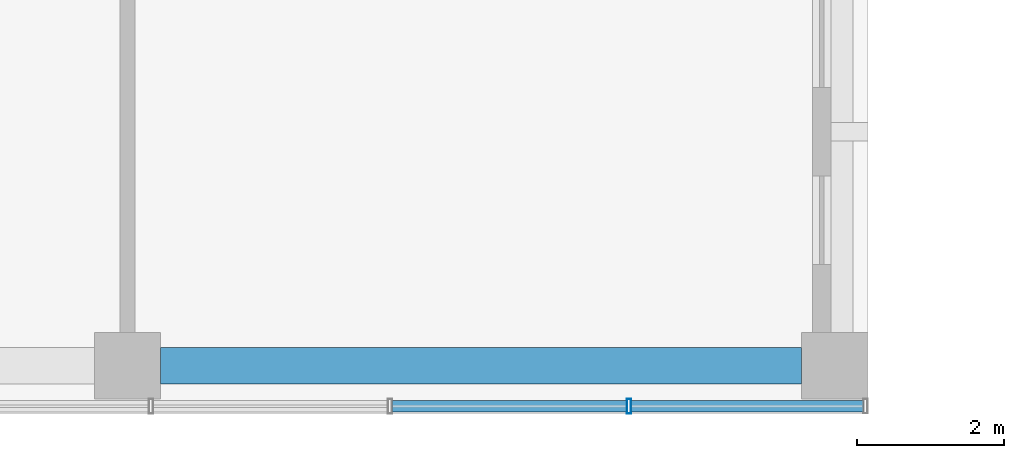
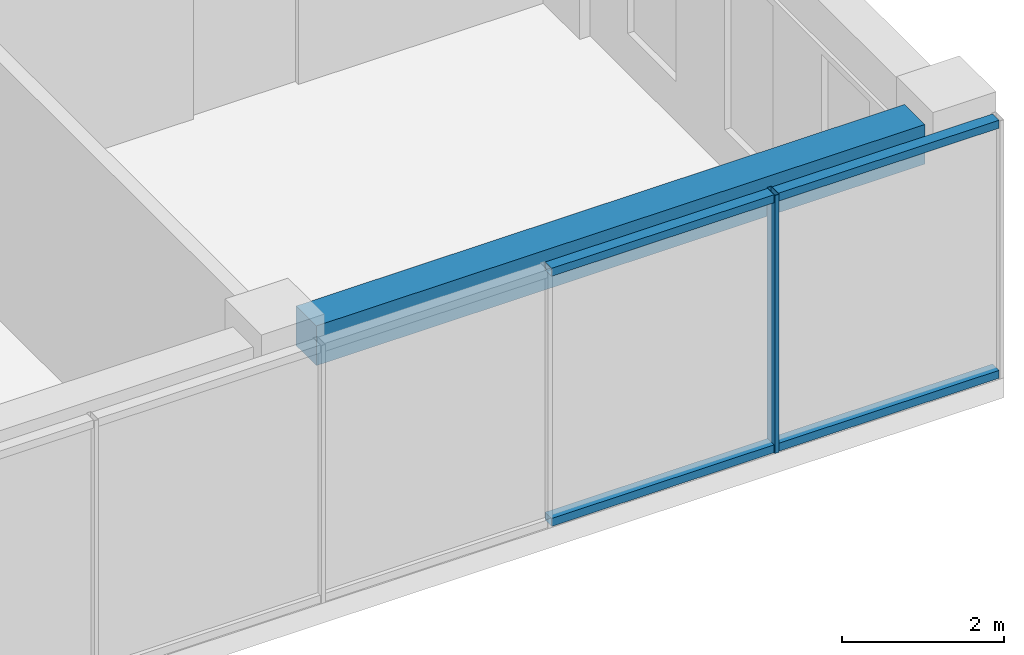
# One storey, part 12 of 36: 5 members, 1 beam, 1 element without a shape of its own.
"""IFC4 building model written with IfcOpenShell, lengths in metres."""

from ifc_helpers import new_model, si_unit, direction, frame, origin, origin_2d, place, context, subcontext, project, spatial, rectangle, hollow_rectangle, extrude, material, layer, layer_set, material_profile, profile_set, type_object, element, aggregate, save


model = new_model("IFC4")

# Units and contexts
model_context = context("Model", 3, precision=1e-05, world=origin(), true_north=direction((0.0, 1.0)))
body_context = subcontext(model_context, "Body", "Model", "MODEL_VIEW")
ifc_project = project(units=[si_unit("LENGTHUNIT", "METRE"), si_unit("AREAUNIT", "SQUARE_METRE"), si_unit("VOLUMEUNIT", "CUBIC_METRE"), si_unit("PLANEANGLEUNIT", "RADIAN"), si_unit("MASSUNIT", "GRAM", prefix="KILO")], contexts=[model_context])

# Site, building, storey
site_placement = place(None, origin())
site = spatial("IfcSite", under=ifc_project, at=site_placement, CompositionType="ELEMENT")
building_placement = place(site_placement, origin())
building = spatial("IfcBuilding", under=site, at=building_placement, Name="Nzadi Deep Aquarium and Research Tower", CompositionType="ELEMENT")
storey_placement = place(building_placement, frame((0.0, 0.0, 44.5)))
storey = spatial("IfcBuildingStorey", under=building, at=storey_placement, Name="L08", CompositionType="ELEMENT", Elevation=44.5)

# Curtain wall, member
ifc_material_1 = material(Name="Aluminium unitised frame", Category="aluminium")
ifc_layer = layer(ifc_material_1, 0.199951171875)
ifc_layer_set = layer_set([ifc_layer], Name="Aluminium unitised frame")
curtain_wall_type = type_object("IfcCurtainWallType", Name="Curtain wall Unitised 200", PredefinedType="NOTDEFINED", material=ifc_layer_set)
curtain_wall_placement = place(storey_placement, origin())
curtain_wall = element("IfcCurtainWall", 1, at=curtain_wall_placement, inside=storey, type_object=curtain_wall_type, Name="Unitised curtain wall blade A south L08", PredefinedType="NOTDEFINED")
ifc_material_2 = material(Name="Aluminium unitised frame", Category="aluminium")
ifc_material_profile_1 = material_profile(ifc_material_2, hollow_rectangle(XDim=0.199951171875, YDim=0.06005859375, WallThickness=0.0048828125, at=origin_2d()))
ifc_profile_set_1 = profile_set([ifc_material_profile_1], Name="Aluminium unitised frame")
member_type_1 = type_object("IfcMemberType", Name="Mullion 60x200 Unitised", PredefinedType="MULLION", material=ifc_profile_set_1)
member_1_placement = place(storey_placement, frame((45.206787109375, -0.10009765625, 0.0), z_axis=(0.0, 0.0, 1.0), x_axis=(0.0, 1.0, 0.0)))
member_1 = element("IfcMember", 2, at=member_1_placement, type_object=member_type_1, Name="CW022 mullion 15", PredefinedType="MULLION", context=body_context, shape_type="SweptSolid", body=[
    extrude(hollow_rectangle(XDim=0.199951171875, YDim=0.06005859375, WallThickness=0.0048828125, at=origin_2d()), origin(), (0.0, 0.0, 1.0), 3.89990234375),
])

# Beam
ifc_material_3 = material(Name="Concrete C35/45", Category="concrete")
ifc_material_profile_2 = material_profile(ifc_material_3, rectangle(XDim=0.5, YDim=0.60009765625, at=origin_2d()))
ifc_profile_set_2 = profile_set([ifc_material_profile_2], Name="Concrete C35/45")
beam_type = type_object("IfcBeamType", Name="RC 500x600", PredefinedType="BEAM", material=ifc_profile_set_2)
beam_placement = place(storey_placement, frame((38.85009765625, 0.449951171875, 3.60009765625), z_axis=(1.0, 0.0, 0.0), x_axis=(0.0, 1.0, 0.0)))
element("IfcBeam", 3, at=beam_placement, inside=storey, type_object=beam_type, Name="B-Z1-L08-L1-5", PredefinedType="BEAM", context=body_context, shape_type="SweptSolid", body=[
    extrude(rectangle(XDim=0.5, YDim=0.60009765625, at=origin_2d()), origin(), (0.0, 0.0, 1.0), 8.699951171875),
])

# Member
ifc_material_4 = material(Name="Aluminium unitised frame", Category="aluminium")
ifc_material_profile_3 = material_profile(ifc_material_4, hollow_rectangle(XDim=0.159912109375, YDim=0.1201171875, WallThickness=0.0048828125, at=origin_2d()))
ifc_profile_set_3 = profile_set([ifc_material_profile_3], Name="Aluminium unitised frame")
member_type_2 = type_object("IfcMemberType", Name="Transom 120x160 Unitised", PredefinedType="MULLION", material=ifc_profile_set_3)
member_2_placement = place(storey_placement, frame((41.993408203125, -0.10009765625, 0.06005859375), z_axis=(1.0, 0.0, 0.0), x_axis=(0.0, 1.0, 0.0)))
member_2 = element("IfcMember", 4, at=member_2_placement, type_object=member_type_2, Name="CW022 transom 14.1", PredefinedType="MULLION", context=body_context, shape_type="SweptSolid", body=[
    extrude(hollow_rectangle(XDim=0.159912109375, YDim=0.1201171875, WallThickness=0.0048828125, at=origin_2d()), origin(), (0.0, 0.0, 1.0), 3.183349609375),
])

member_3_placement = place(storey_placement, frame((41.993408203125, -0.10009765625, 3.840087890625), z_axis=(1.0, 0.0, 0.0), x_axis=(0.0, 1.0, 0.0)))
member_3 = element("IfcMember", 5, at=member_3_placement, type_object=member_type_2, Name="CW022 transom 14.2", PredefinedType="MULLION", context=body_context, shape_type="SweptSolid", body=[
    extrude(hollow_rectangle(XDim=0.159912109375, YDim=0.1201171875, WallThickness=0.0048828125, at=origin_2d()), origin(), (0.0, 0.0, 1.0), 3.183349609375),
])

member_4_placement = place(storey_placement, frame((45.236572265625, -0.10009765625, 0.06005859375), z_axis=(1.0, 0.0, 0.0), x_axis=(0.0, 1.0, 0.0)))
member_4 = element("IfcMember", 6, at=member_4_placement, type_object=member_type_2, Name="CW022 transom 15.1", PredefinedType="MULLION", context=body_context, shape_type="SweptSolid", body=[
    extrude(hollow_rectangle(XDim=0.159912109375, YDim=0.1201171875, WallThickness=0.0048828125, at=origin_2d()), origin(), (0.0, 0.0, 1.0), 3.1533203125),
])

member_5_placement = place(storey_placement, frame((45.236572265625, -0.10009765625, 3.840087890625), z_axis=(1.0, 0.0, 0.0), x_axis=(0.0, 1.0, 0.0)))
member_5 = element("IfcMember", 7, at=member_5_placement, type_object=member_type_2, Name="CW022 transom 15.2", PredefinedType="MULLION", context=body_context, shape_type="SweptSolid", body=[
    extrude(hollow_rectangle(XDim=0.159912109375, YDim=0.1201171875, WallThickness=0.0048828125, at=origin_2d()), origin(), (0.0, 0.0, 1.0), 3.1533203125),
])

aggregate(curtain_wall, [member_1, member_2, member_3, member_4, member_5])

save(model, "model.ifc")
